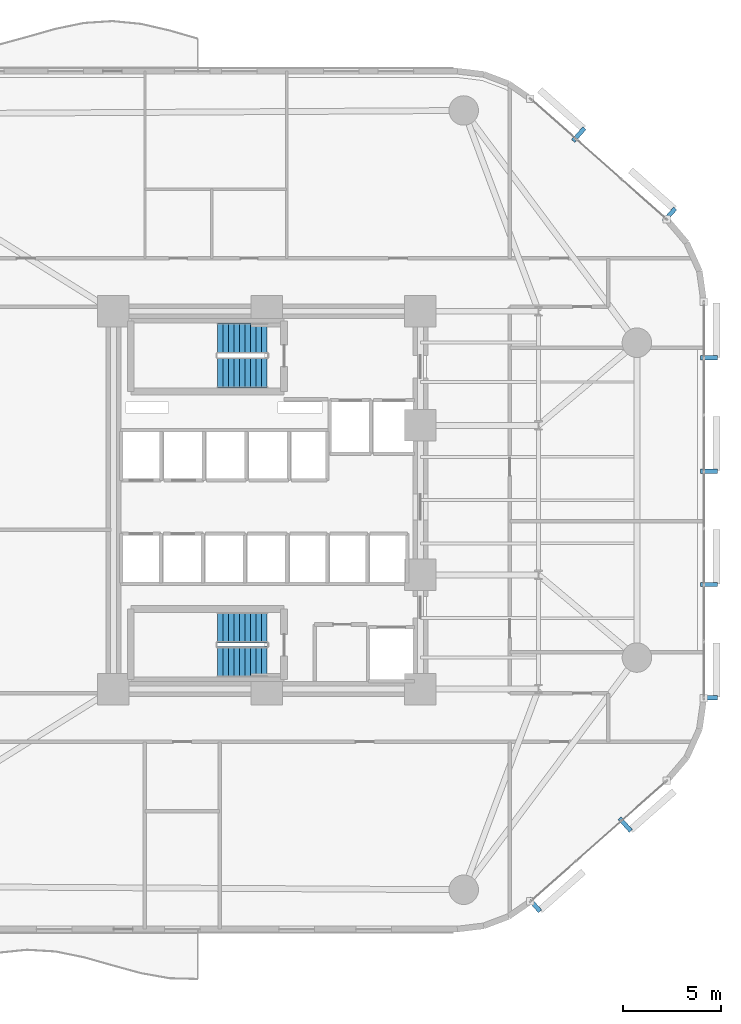
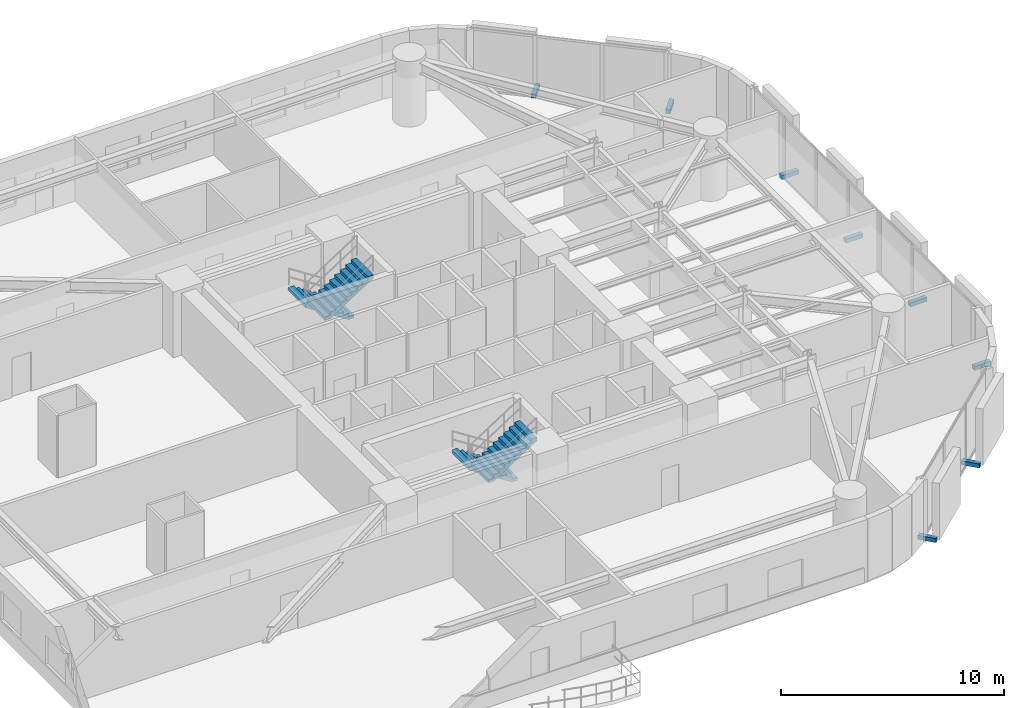
# One storey, part 13 of 16: 8 discrete accessories, 4 stair flights, 2 elements without a shape of their own.
"""IFC4 building model written with IfcOpenShell, lengths in metres."""

from ifc_helpers import new_model, si_unit, direction, frame, origin, origin_2d, place, context, subcontext, project, spatial, polyline, rectangle, outline, extrude, material, type_object, element, aggregate, save


model = new_model("IFC4")

# Units and contexts
model_context = context("Model", 3, precision=1e-05, world=origin(), true_north=direction((0.0, 1.0)))
body_context = subcontext(model_context, "Body", "Model", "MODEL_VIEW")
ifc_project = project(units=[si_unit("LENGTHUNIT", "METRE"), si_unit("AREAUNIT", "SQUARE_METRE"), si_unit("VOLUMEUNIT", "CUBIC_METRE"), si_unit("PLANEANGLEUNIT", "RADIAN"), si_unit("MASSUNIT", "GRAM", prefix="KILO")], contexts=[model_context])

# Site, building, storey
site_placement = place(None, origin())
site = spatial("IfcSite", under=ifc_project, at=site_placement, CompositionType="ELEMENT")
building_placement = place(site_placement, origin())
building = spatial("IfcBuilding", under=site, at=building_placement, Name="An Khanh Terracotta Commons", CompositionType="ELEMENT")
storey_placement = place(building_placement, frame((0.0, 0.0, 43.199951171875)))
storey = spatial("IfcBuildingStorey", under=building, at=storey_placement, Name="L11", CompositionType="ELEMENT", Elevation=43.199951171875)

# Stair, stair flights
ifc_material_1 = material(Name="Precast concrete C40/50", Category="concrete")
stair_type = type_object("IfcStairType", Name="STAIR-CORE-1550", PredefinedType="HALF_TURN_STAIR", material=ifc_material_1)
stair_1_placement = place(storey_placement, origin())
stair_1 = element("IfcStair", 1, at=stair_1_placement, inside=storey, type_object=stair_type, Name="L11 Core Smokeproof Exit Stair ST-01", PredefinedType="HALF_TURN_STAIR")
stair_flight_type = type_object("IfcStairFlightType", Name="FLIGHT-CORE-1550", PredefinedType="STRAIGHT", material=ifc_material_1)
stair_flight_1_placement = place(storey_placement, frame((29.409912109375, 32.22509765625, 0.0), z_axis=(0.0, 0.0, 1.0), x_axis=(-1.0, 0.0, 0.0)))
stair_flight_1 = element("IfcStairFlight", 2, at=stair_flight_1_placement, type_object=stair_flight_type, Name="ST-01 flight 1", NumberOfRisers=10, NumberOfTreads=9, PredefinedType="STRAIGHT", RiserHeight=0.18, TreadLength=0.28, context=body_context, shape_type="SweptSolid", body=[
    extrude(outline(polyline([(0.0, 0.0), (0.0, 0.179931640625), (0.280029296875, 0.179931640625), (0.280029296875, 0.360107421875), (0.56005859375, 0.360107421875), (0.56005859375, 0.5400390625), (0.840087890625, 0.5400390625), (0.840087890625, 0.719970703125), (1.1201171875, 0.719970703125), (1.1201171875, 0.89990234375), (1.39990234375, 0.89990234375), (1.39990234375, 1.080078125), (1.679931640625, 1.080078125), (1.679931640625, 1.260009765625), (1.9599609375, 1.260009765625), (1.9599609375, 1.43994140625), (2.239990234375, 1.43994140625), (2.239990234375, 1.6201171875), (2.52001953125, 1.6201171875), (2.52001953125, 1.800048828125), (2.52001953125, 1.44189453125), (0.277099609375, 0.0), (0.0, 0.0)])), frame((0.0, 0.77490234375, 0.0), z_axis=(0.0, -1.0, 0.0), x_axis=(1.0, 0.0, 0.0)), (0.0, 0.0, 1.0), 1.550048828125),
])
stair_flight_2_placement = place(storey_placement, frame((26.889892578125, 30.47509765625, 1.800048828125), z_axis=(0.0, 0.0, 1.0), x_axis=(1.0, 0.0, 0.0)))
stair_flight_2 = element("IfcStairFlight", 3, at=stair_flight_2_placement, type_object=stair_flight_type, Name="ST-01 flight 2", NumberOfRisers=10, NumberOfTreads=9, PredefinedType="STRAIGHT", RiserHeight=0.18, TreadLength=0.28, context=body_context, shape_type="SweptSolid", body=[
    extrude(outline(polyline([(0.0, 0.0), (0.0, 0.179931640625), (0.280029296875, 0.179931640625), (0.280029296875, 0.360107421875), (0.56005859375, 0.360107421875), (0.56005859375, 0.5400390625), (0.840087890625, 0.5400390625), (0.840087890625, 0.719970703125), (1.1201171875, 0.719970703125), (1.1201171875, 0.89990234375), (1.39990234375, 0.89990234375), (1.39990234375, 1.080078125), (1.679931640625, 1.080078125), (1.679931640625, 1.260009765625), (1.9599609375, 1.260009765625), (1.9599609375, 1.43994140625), (2.239990234375, 1.43994140625), (2.239990234375, 1.6201171875), (2.52001953125, 1.6201171875), (2.52001953125, 1.800048828125), (2.52001953125, 1.44189453125), (0.277099609375, 0.0), (0.0, 0.0)])), frame((0.0, 0.77490234375, 0.0), z_axis=(0.0, -1.0, 0.0), x_axis=(1.0, 0.0, 0.0)), (0.0, 0.0, 1.0), 1.550048828125),
])
aggregate(stair_1, [stair_flight_1, stair_flight_2])

stair_2_placement = place(storey_placement, origin())
stair_2 = element("IfcStair", 4, at=stair_2_placement, inside=storey, type_object=stair_type, Name="L11 Core Smokeproof Exit Stair ST-02", PredefinedType="HALF_TURN_STAIR")
stair_flight_3_placement = place(storey_placement, frame((29.409912109375, 17.52490234375, 0.0), z_axis=(0.0, 0.0, 1.0), x_axis=(-1.0, 0.0, 0.0)))
stair_flight_3 = element("IfcStairFlight", 5, at=stair_flight_3_placement, type_object=stair_flight_type, Name="ST-02 flight 1", NumberOfRisers=10, NumberOfTreads=9, PredefinedType="STRAIGHT", RiserHeight=0.18, TreadLength=0.28, context=body_context, shape_type="SweptSolid", body=[
    extrude(outline(polyline([(0.0, 0.0), (0.0, 0.179931640625), (0.280029296875, 0.179931640625), (0.280029296875, 0.360107421875), (0.56005859375, 0.360107421875), (0.56005859375, 0.5400390625), (0.840087890625, 0.5400390625), (0.840087890625, 0.719970703125), (1.1201171875, 0.719970703125), (1.1201171875, 0.89990234375), (1.39990234375, 0.89990234375), (1.39990234375, 1.080078125), (1.679931640625, 1.080078125), (1.679931640625, 1.260009765625), (1.9599609375, 1.260009765625), (1.9599609375, 1.43994140625), (2.239990234375, 1.43994140625), (2.239990234375, 1.6201171875), (2.52001953125, 1.6201171875), (2.52001953125, 1.800048828125), (2.52001953125, 1.44189453125), (0.277099609375, 0.0), (0.0, 0.0)])), frame((0.0, 0.77490234375, 0.0), z_axis=(0.0, -1.0, 0.0), x_axis=(1.0, 0.0, 0.0)), (0.0, 0.0, 1.0), 1.550048828125),
])
stair_flight_4_placement = place(storey_placement, frame((26.889892578125, 15.77490234375, 1.800048828125), z_axis=(0.0, 0.0, 1.0), x_axis=(1.0, 0.0, 0.0)))
stair_flight_4 = element("IfcStairFlight", 6, at=stair_flight_4_placement, type_object=stair_flight_type, Name="ST-02 flight 2", NumberOfRisers=10, NumberOfTreads=9, PredefinedType="STRAIGHT", RiserHeight=0.18, TreadLength=0.28, context=body_context, shape_type="SweptSolid", body=[
    extrude(outline(polyline([(0.0, 0.0), (0.0, 0.179931640625), (0.280029296875, 0.179931640625), (0.280029296875, 0.360107421875), (0.56005859375, 0.360107421875), (0.56005859375, 0.5400390625), (0.840087890625, 0.5400390625), (0.840087890625, 0.719970703125), (1.1201171875, 0.719970703125), (1.1201171875, 0.89990234375), (1.39990234375, 0.89990234375), (1.39990234375, 1.080078125), (1.679931640625, 1.080078125), (1.679931640625, 1.260009765625), (1.9599609375, 1.260009765625), (1.9599609375, 1.43994140625), (2.239990234375, 1.43994140625), (2.239990234375, 1.6201171875), (2.52001953125, 1.6201171875), (2.52001953125, 1.800048828125), (2.52001953125, 1.44189453125), (0.277099609375, 0.0), (0.0, 0.0)])), frame((0.0, 0.77490234375, 0.0), z_axis=(0.0, -1.0, 0.0), x_axis=(1.0, 0.0, 0.0)), (0.0, 0.0, 1.0), 1.550048828125),
])
aggregate(stair_2, [stair_flight_3, stair_flight_4])

# Discrete accessories
ifc_material_2 = material(Name="Stainless Steel Grade 316L", Category="steel")
discrete_accessory_type = type_object("IfcDiscreteAccessoryType", Name="Stainless Outrigger Facade Bracket", PredefinedType="BRACKET", material=ifc_material_2)
for number, where, z_axis, x_axis, name in (
    (7, (42.990966796875, 3.430908203125, 0.06982421875), (0.0, 0.0, 1.0), (0.749019284633, 0.662548195415, 0.0), "L11 Terracotta Screen Outrigger Bracket 1"),
    (8, (47.60498046875, 7.511962890625, 0.06982421875), (0.0, 0.0, 1.0), (0.749019284633, 0.662548195415, 0.0), "L11 Terracotta Screen Outrigger Bracket 3"),
    (9, (51.864990234375, 13.9580078125, 0.06982421875), (0.0, 0.0, 1.0), (0.0, 1.0, 0.0), "L11 Terracotta Screen Outrigger Bracket 1"),
    (10, (51.864990234375, 19.716064453125, 0.06982421875), (0.0, 0.0, 1.0), (0.0, 1.0, 0.0), "L11 Terracotta Screen Outrigger Bracket 3"),
    (11, (51.864990234375, 25.47509765625, 0.06982421875), (0.0, 0.0, 1.0), (0.0, 1.0, 0.0), "L11 Terracotta Screen Outrigger Bracket 5"),
    (12, (51.864990234375, 31.23291015625, 0.06982421875), (0.0, 0.0, 1.0), (0.0, 1.0, 0.0), "L11 Terracotta Screen Outrigger Bracket 7"),
    (13, (49.85888671875, 38.493896484375, 0.06982421875), (0.0, 0.0, 1.0), (-0.749019284633, 0.662548195415, 0.0), "L11 Terracotta Screen Outrigger Bracket 1"),
    (14, (45.2451171875, 42.574951171875, 0.06982421875), (0.0, 0.0, 1.0), (-0.749019284633, 0.662548195415, 0.0), "L11 Terracotta Screen Outrigger Bracket 3"),
):
    element("IfcDiscreteAccessory", number, at=place(storey_placement, frame(where, z_axis=z_axis, x_axis=x_axis)), inside=storey, type_object=discrete_accessory_type, Name=name, PredefinedType="BRACKET", context=body_context, shape_type="SweptSolid", body=[
        extrude(rectangle(XDim=0.219970703125, YDim=0.8701171875, at=origin_2d()), origin(), (0.0, 0.0, 1.0), 0.219970703125),
    ])

save(model, "model.ifc")
